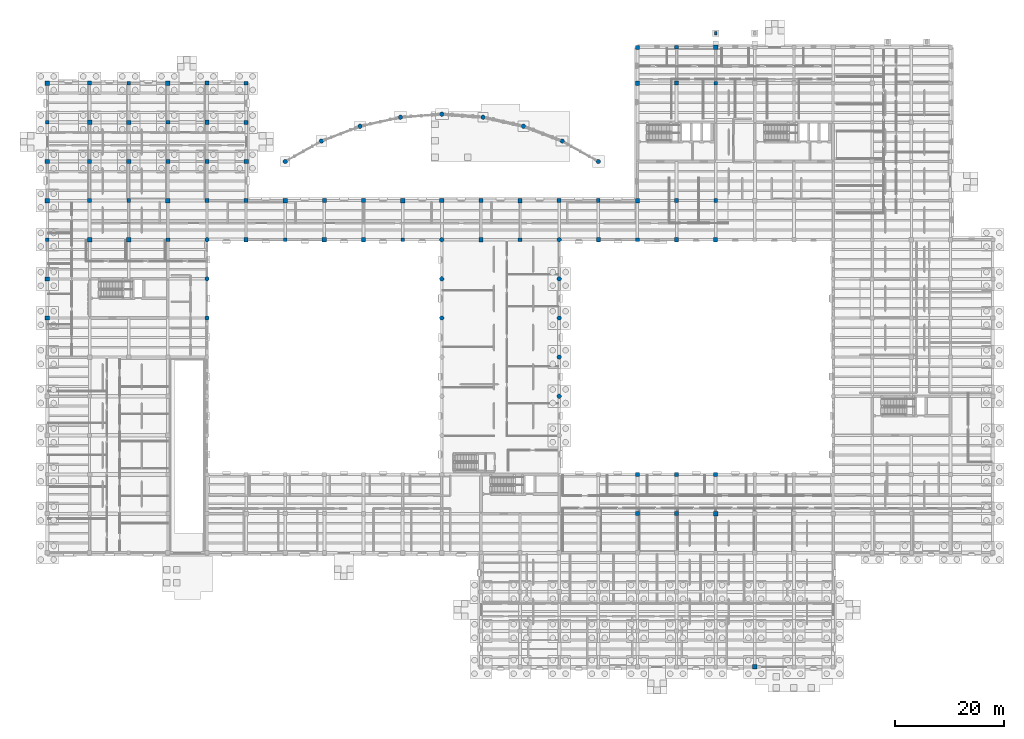
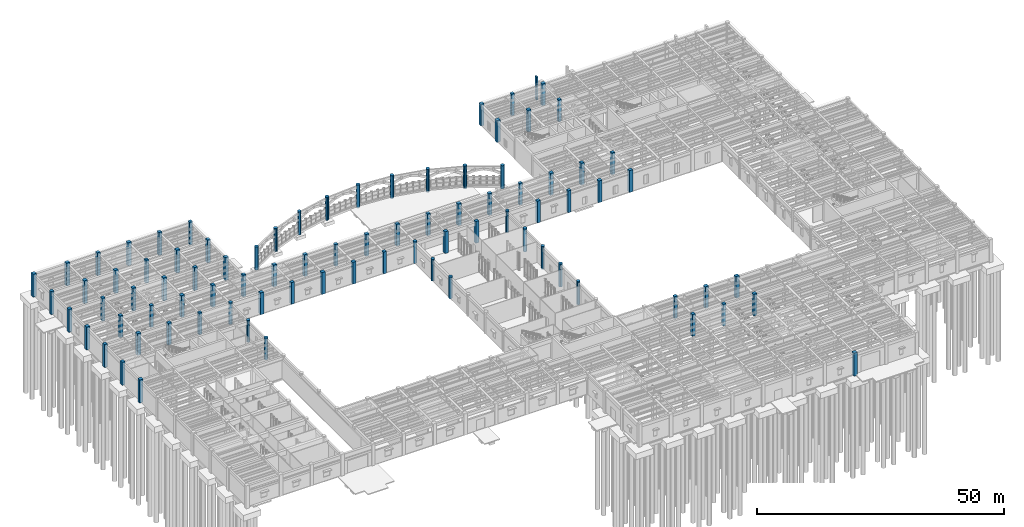
# One storey, part 6 of 100: 87 columns.
"""IFC4 building model written with IfcOpenShell, lengths in metres."""

from ifc_helpers import new_model, si_unit, direction, frame, origin, origin_2d, place, context, subcontext, project, spatial, rectangle, circle, extrude, material, material_profile, profile_set, type_object, element, save


model = new_model("IFC4")

# Units and contexts
model_context = context("Model", 3, precision=1e-05, world=origin(), true_north=direction((0.0, 1.0)))
body_context = subcontext(model_context, "Body", "Model", "MODEL_VIEW")
ifc_project = project(units=[si_unit("LENGTHUNIT", "METRE"), si_unit("AREAUNIT", "SQUARE_METRE"), si_unit("VOLUMEUNIT", "CUBIC_METRE"), si_unit("PLANEANGLEUNIT", "RADIAN"), si_unit("MASSUNIT", "GRAM", prefix="KILO")], contexts=[model_context])

# Site, building, storey
site_placement = place(None, origin())
site = spatial("IfcSite", under=ifc_project, at=site_placement, CompositionType="ELEMENT")
building_placement = place(site_placement, origin())
building = spatial("IfcBuilding", under=site, at=building_placement, Name="Mithqara Police Headquarters", CompositionType="ELEMENT")
storey_placement = place(building_placement, origin())
storey = spatial("IfcBuildingStorey", under=building, at=storey_placement, Name="L00", CompositionType="ELEMENT", Elevation=0.0)

# Columns
ifc_material = material(Name="Concrete C50/60", Category="concrete")
ifc_material_profile_1 = material_profile(ifc_material, rectangle(XDim=0.699951171875, YDim=0.699951171875, at=origin_2d()), Name="RC 700x700")
ifc_profile_set_1 = profile_set([ifc_material_profile_1], Name="Concrete C50/60")
column_type_1 = type_object("IfcColumnType", Name="COLUMN RC700", PredefinedType="COLUMN", material=ifc_profile_set_1)
for number, where, z_axis, x_axis, name in (
    (1, (0.0, 78.60009765625, -0.320068359375), (0.0, 0.0, 1.0), (1.0, 0.0, 0.0), "L00 Column 1/M"),
    (2, (0.0, 100.199951171875, -0.320068359375), (0.0, 0.0, 1.0), (1.0, 0.0, 0.0), "L00 Column 1/Q"),
    (3, (7.800048828125, 93.0, -0.320068359375), (0.0, 0.0, 1.0), (1.0, 0.0, 0.0), "L00 Column 2/P"),
):
    element("IfcColumn", number, at=place(storey_placement, frame(where, z_axis=z_axis, x_axis=x_axis)), inside=storey, type_object=column_type_1, Name=name, PredefinedType="COLUMN", context=body_context, shape_type="SweptSolid", body=[
        extrude(rectangle(XDim=0.699951171875, YDim=0.699951171875, at=origin_2d()), origin(), (0.0, 0.0, 1.0), 5.719970703125),
    ])
column_1_placement = place(storey_placement, frame((15.0, 85.800048828125, 0.0), z_axis=(0.0, 0.0, 1.0), x_axis=(1.0, 0.0, 0.0)))
element("IfcColumn", 4, at=column_1_placement, inside=storey, type_object=column_type_1, Name="L00 Column 3/N", PredefinedType="COLUMN", context=body_context, shape_type="SweptSolid", body=[
    extrude(rectangle(XDim=0.699951171875, YDim=0.699951171875, at=origin_2d()), origin(), (0.0, 0.0, 1.0), 5.39990234375),
])
column_2_placement = place(storey_placement, frame((15.0, 107.39990234375, -0.320068359375), z_axis=(0.0, 0.0, 1.0), x_axis=(1.0, 0.0, 0.0)))
element("IfcColumn", 5, at=column_2_placement, inside=storey, type_object=column_type_1, Name="L00 Column 3/R", PredefinedType="COLUMN", context=body_context, shape_type="SweptSolid", body=[
    extrude(rectangle(XDim=0.699951171875, YDim=0.699951171875, at=origin_2d()), origin(), (0.0, 0.0, 1.0), 5.719970703125),
])
column_3_placement = place(storey_placement, frame((22.199951171875, 78.60009765625, 0.0), z_axis=(0.0, 0.0, 1.0), x_axis=(1.0, 0.0, 0.0)))
element("IfcColumn", 6, at=column_3_placement, inside=storey, type_object=column_type_1, Name="L00 Column 4/M", PredefinedType="COLUMN", context=body_context, shape_type="SweptSolid", body=[
    extrude(rectangle(XDim=0.699951171875, YDim=0.699951171875, at=origin_2d()), origin(), (0.0, 0.0, 1.0), 5.39990234375),
])
for number, where, z_axis, x_axis, name in (
    (7, (22.199951171875, 100.199951171875, -0.320068359375), (0.0, 0.0, 1.0), (1.0, 0.0, 0.0), "L00 Column 4/Q"),
    (8, (29.39990234375, 93.0, -0.320068359375), (0.0, 0.0, 1.0), (1.0, 0.0, 0.0), "L00 Column 5/P"),
):
    element("IfcColumn", number, at=place(storey_placement, frame(where, z_axis=z_axis, x_axis=x_axis)), inside=storey, type_object=column_type_1, Name=name, PredefinedType="COLUMN", context=body_context, shape_type="SweptSolid", body=[
        extrude(rectangle(XDim=0.699951171875, YDim=0.699951171875, at=origin_2d()), origin(), (0.0, 0.0, 1.0), 5.719970703125),
    ])
column_4_placement = place(storey_placement, frame((36.60009765625, 85.800048828125, 0.0), z_axis=(0.0, 0.0, 1.0), x_axis=(1.0, 0.0, 0.0)))
element("IfcColumn", 9, at=column_4_placement, inside=storey, type_object=column_type_1, Name="L00 Column 6/N", PredefinedType="COLUMN", context=body_context, shape_type="SweptSolid", body=[
    extrude(rectangle(XDim=0.699951171875, YDim=0.699951171875, at=origin_2d()), origin(), (0.0, 0.0, 1.0), 5.39990234375),
])
column_5_placement = place(storey_placement, frame((36.60009765625, 107.39990234375, -0.320068359375), z_axis=(0.0, 0.0, 1.0), x_axis=(1.0, 0.0, 0.0)))
element("IfcColumn", 10, at=column_5_placement, inside=storey, type_object=column_type_1, Name="L00 Column 6/R", PredefinedType="COLUMN", context=body_context, shape_type="SweptSolid", body=[
    extrude(rectangle(XDim=0.699951171875, YDim=0.699951171875, at=origin_2d()), origin(), (0.0, 0.0, 1.0), 5.719970703125),
])
for number, where, z_axis, x_axis, name in (
    (11, (43.800048828125, 78.60009765625, 0.0), (0.0, 0.0, 1.0), (1.0, 0.0, 0.0), "L00 Column 7/M"),
    (12, (58.199951171875, 85.800048828125, 0.0), (0.0, 0.0, 1.0), (1.0, 0.0, 0.0), "L00 Column 9/N"),
    (13, (65.39990234375, 78.60009765625, 0.0), (0.0, 0.0, 1.0), (1.0, 0.0, 0.0), "L00 Column 10/M"),
    (14, (79.800048828125, 85.800048828125, 0.0), (0.0, 0.0, 1.0), (1.0, 0.0, 0.0), "L00 Column 12/N"),
    (15, (87.0, 78.60009765625, 0.0), (0.0, 0.0, 1.0), (1.0, 0.0, 0.0), "L00 Column 13/M"),
    (16, (101.39990234375, 85.800048828125, 0.0), (0.0, 0.0, 1.0), (1.0, 0.0, 0.0), "L00 Column 15/N"),
    (17, (108.60009765625, 35.39990234375, 0.0), (0.0, 0.0, 1.0), (1.0, 0.0, 0.0), "L00 Column 16/F"),
    (18, (108.60009765625, 78.60009765625, 0.0), (0.0, 0.0, 1.0), (1.0, 0.0, 0.0), "L00 Column 16/M"),
    (19, (115.800048828125, 28.199951171875, 0.0), (0.0, 0.0, 1.0), (1.0, 0.0, 0.0), "L00 Column 17/E"),
    (20, (115.800048828125, 114.0, 0.0), (0.0, 0.0, 1.0), (1.0, 0.0, 0.0), "L00 Column 17/S"),
    (21, (123.0, 85.800048828125, 0.0), (0.0, 0.0, 1.0), (1.0, 0.0, 0.0), "L00 Column 18/N"),
    (22, (123.0, 107.39990234375, 0.0), (0.0, 0.0, 1.0), (1.0, 0.0, 0.0), "L00 Column 18/R"),
):
    element("IfcColumn", number, at=place(storey_placement, frame(where, z_axis=z_axis, x_axis=x_axis)), inside=storey, type_object=column_type_1, Name=name, PredefinedType="COLUMN", context=body_context, shape_type="SweptSolid", body=[
        extrude(rectangle(XDim=0.699951171875, YDim=0.699951171875, at=origin_2d()), origin(), (0.0, 0.0, 1.0), 5.39990234375),
    ])
ifc_material_profile_2 = material_profile(ifc_material, rectangle(XDim=0.75, YDim=0.75, at=origin_2d()), Name="RC 750x750")
ifc_profile_set_2 = profile_set([ifc_material_profile_2], Name="Concrete C50/60")
column_type_2 = type_object("IfcColumnType", Name="COLUMN RC750", PredefinedType="COLUMN", material=ifc_profile_set_2)
for number, where, z_axis, x_axis, name in (
    (23, (0.0, 71.39990234375, -0.320068359375), (0.0, 0.0, 1.0), (1.0, 0.0, 0.0), "L00 Column 1/L"),
    (24, (0.0, 93.0, -0.320068359375), (0.0, 0.0, 1.0), (1.0, 0.0, 0.0), "L00 Column 1/P"),
):
    element("IfcColumn", number, at=place(storey_placement, frame(where, z_axis=z_axis, x_axis=x_axis)), inside=storey, type_object=column_type_2, Name=name, PredefinedType="COLUMN", context=body_context, shape_type="SweptSolid", body=[
        extrude(rectangle(XDim=0.75, YDim=0.75, at=origin_2d()), origin(), (0.0, 0.0, 1.0), 5.719970703125),
    ])
column_6_placement = place(storey_placement, frame((7.800048828125, 85.800048828125, 0.0), z_axis=(0.0, 0.0, 1.0), x_axis=(1.0, 0.0, 0.0)))
element("IfcColumn", 25, at=column_6_placement, inside=storey, type_object=column_type_2, Name="L00 Column 2/N", PredefinedType="COLUMN", context=body_context, shape_type="SweptSolid", body=[
    extrude(rectangle(XDim=0.75, YDim=0.75, at=origin_2d()), origin(), (0.0, 0.0, 1.0), 5.39990234375),
])
column_7_placement = place(storey_placement, frame((7.800048828125, 107.39990234375, -0.320068359375), z_axis=(0.0, 0.0, 1.0), x_axis=(1.0, 0.0, 0.0)))
element("IfcColumn", 26, at=column_7_placement, inside=storey, type_object=column_type_2, Name="L00 Column 2/R", PredefinedType="COLUMN", context=body_context, shape_type="SweptSolid", body=[
    extrude(rectangle(XDim=0.75, YDim=0.75, at=origin_2d()), origin(), (0.0, 0.0, 1.0), 5.719970703125),
])
column_8_placement = place(storey_placement, frame((15.0, 78.60009765625, 0.0), z_axis=(0.0, 0.0, 1.0), x_axis=(1.0, 0.0, 0.0)))
element("IfcColumn", 27, at=column_8_placement, inside=storey, type_object=column_type_2, Name="L00 Column 3/M", PredefinedType="COLUMN", context=body_context, shape_type="SweptSolid", body=[
    extrude(rectangle(XDim=0.75, YDim=0.75, at=origin_2d()), origin(), (0.0, 0.0, 1.0), 5.39990234375),
])
for number, where, z_axis, x_axis, name in (
    (28, (15.0, 100.199951171875, -0.320068359375), (0.0, 0.0, 1.0), (1.0, 0.0, 0.0), "L00 Column 3/Q"),
    (29, (22.199951171875, 93.0, -0.320068359375), (0.0, 0.0, 1.0), (1.0, 0.0, 0.0), "L00 Column 4/P"),
):
    element("IfcColumn", number, at=place(storey_placement, frame(where, z_axis=z_axis, x_axis=x_axis)), inside=storey, type_object=column_type_2, Name=name, PredefinedType="COLUMN", context=body_context, shape_type="SweptSolid", body=[
        extrude(rectangle(XDim=0.75, YDim=0.75, at=origin_2d()), origin(), (0.0, 0.0, 1.0), 5.719970703125),
    ])
column_9_placement = place(storey_placement, frame((29.39990234375, 85.800048828125, 0.0), z_axis=(0.0, 0.0, 1.0), x_axis=(1.0, 0.0, 0.0)))
element("IfcColumn", 30, at=column_9_placement, inside=storey, type_object=column_type_2, Name="L00 Column 5/N", PredefinedType="COLUMN", context=body_context, shape_type="SweptSolid", body=[
    extrude(rectangle(XDim=0.75, YDim=0.75, at=origin_2d()), origin(), (0.0, 0.0, 1.0), 5.39990234375),
])
column_10_placement = place(storey_placement, frame((29.39990234375, 107.39990234375, -0.320068359375), z_axis=(0.0, 0.0, 1.0), x_axis=(1.0, 0.0, 0.0)))
element("IfcColumn", 31, at=column_10_placement, inside=storey, type_object=column_type_2, Name="L00 Column 5/R", PredefinedType="COLUMN", context=body_context, shape_type="SweptSolid", body=[
    extrude(rectangle(XDim=0.75, YDim=0.75, at=origin_2d()), origin(), (0.0, 0.0, 1.0), 5.719970703125),
])
column_11_placement = place(storey_placement, frame((36.60009765625, 78.60009765625, 0.0), z_axis=(0.0, 0.0, 1.0), x_axis=(1.0, 0.0, 0.0)))
element("IfcColumn", 32, at=column_11_placement, inside=storey, type_object=column_type_2, Name="L00 Column 6/M", PredefinedType="COLUMN", context=body_context, shape_type="SweptSolid", body=[
    extrude(rectangle(XDim=0.75, YDim=0.75, at=origin_2d()), origin(), (0.0, 0.0, 1.0), 5.39990234375),
])
column_12_placement = place(storey_placement, frame((36.60009765625, 100.199951171875, -0.320068359375), z_axis=(0.0, 0.0, 1.0), x_axis=(1.0, 0.0, 0.0)))
element("IfcColumn", 33, at=column_12_placement, inside=storey, type_object=column_type_2, Name="L00 Column 6/Q", PredefinedType="COLUMN", context=body_context, shape_type="SweptSolid", body=[
    extrude(rectangle(XDim=0.75, YDim=0.75, at=origin_2d()), origin(), (0.0, 0.0, 1.0), 5.719970703125),
])
for number, where, z_axis, x_axis, name in (
    (34, (51.0, 85.800048828125, 0.0), (0.0, 0.0, 1.0), (1.0, 0.0, 0.0), "L00 Column 8/N"),
    (35, (58.199951171875, 78.60009765625, 0.0), (0.0, 0.0, 1.0), (1.0, 0.0, 0.0), "L00 Column 9/M"),
    (36, (72.60009765625, 85.800048828125, 0.0), (0.0, 0.0, 1.0), (1.0, 0.0, 0.0), "L00 Column 11/N"),
    (37, (79.800048828125, 78.60009765625, 0.0), (0.0, 0.0, 1.0), (1.0, 0.0, 0.0), "L00 Column 12/M"),
    (38, (94.199951171875, 85.800048828125, 0.0), (0.0, 0.0, 1.0), (1.0, 0.0, 0.0), "L00 Column 14/N"),
    (39, (101.39990234375, 78.60009765625, 0.0), (0.0, 0.0, 1.0), (1.0, 0.0, 0.0), "L00 Column 15/M"),
    (40, (108.60009765625, 28.199951171875, 0.0), (0.0, 0.0, 1.0), (1.0, 0.0, 0.0), "L00 Column 16/E"),
    (41, (108.60009765625, 114.0, 0.0), (0.0, 0.0, 1.0), (1.0, 0.0, 0.0), "L00 Column 16/S"),
    (42, (115.800048828125, 85.800048828125, 0.0), (0.0, 0.0, 1.0), (1.0, 0.0, 0.0), "L00 Column 17/N"),
    (43, (115.800048828125, 107.39990234375, 0.0), (0.0, 0.0, 1.0), (1.0, 0.0, 0.0), "L00 Column 17/R"),
    (44, (123.0, 35.39990234375, 0.0), (0.0, 0.0, 1.0), (1.0, 0.0, 0.0), "L00 Column 18/F"),
    (45, (123.0, 78.60009765625, 0.0), (0.0, 0.0, 1.0), (1.0, 0.0, 0.0), "L00 Column 18/M"),
):
    element("IfcColumn", number, at=place(storey_placement, frame(where, z_axis=z_axis, x_axis=x_axis)), inside=storey, type_object=column_type_2, Name=name, PredefinedType="COLUMN", context=body_context, shape_type="SweptSolid", body=[
        extrude(rectangle(XDim=0.75, YDim=0.75, at=origin_2d()), origin(), (0.0, 0.0, 1.0), 5.39990234375),
    ])
ifc_material_profile_3 = material_profile(ifc_material, rectangle(XDim=0.800048828125, YDim=0.800048828125, at=origin_2d()), Name="RC 800x800")
ifc_profile_set_3 = profile_set([ifc_material_profile_3], Name="Concrete C50/60")
column_type_3 = type_object("IfcColumnType", Name="COLUMN RC800", PredefinedType="COLUMN", material=ifc_profile_set_3)
for number, where, z_axis, x_axis, name in (
    (46, (0.0, 64.199951171875, -0.320068359375), (0.0, 0.0, 1.0), (1.0, 0.0, 0.0), "L00 Column 1/K"),
    (47, (0.0, 85.800048828125, -0.320068359375), (0.0, 0.0, 1.0), (1.0, 0.0, 0.0), "L00 Column 1/N"),
    (48, (0.0, 107.39990234375, -0.320068359375), (0.0, 0.0, 1.0), (1.0, 0.0, 0.0), "L00 Column 1/R"),
):
    element("IfcColumn", number, at=place(storey_placement, frame(where, z_axis=z_axis, x_axis=x_axis)), inside=storey, type_object=column_type_3, Name=name, PredefinedType="COLUMN", context=body_context, shape_type="SweptSolid", body=[
        extrude(rectangle(XDim=0.800048828125, YDim=0.800048828125, at=origin_2d()), origin(), (0.0, 0.0, 1.0), 5.719970703125),
    ])
column_13_placement = place(storey_placement, frame((7.800048828125, 78.60009765625, 0.0), z_axis=(0.0, 0.0, 1.0), x_axis=(1.0, 0.0, 0.0)))
element("IfcColumn", 49, at=column_13_placement, inside=storey, type_object=column_type_3, Name="L00 Column 2/M", PredefinedType="COLUMN", context=body_context, shape_type="SweptSolid", body=[
    extrude(rectangle(XDim=0.800048828125, YDim=0.800048828125, at=origin_2d()), origin(), (0.0, 0.0, 1.0), 5.39990234375),
])
for number, where, z_axis, x_axis, name in (
    (50, (7.800048828125, 100.199951171875, -0.320068359375), (0.0, 0.0, 1.0), (1.0, 0.0, 0.0), "L00 Column 2/Q"),
    (51, (15.0, 93.0, -0.320068359375), (0.0, 0.0, 1.0), (1.0, 0.0, 0.0), "L00 Column 3/P"),
):
    element("IfcColumn", number, at=place(storey_placement, frame(where, z_axis=z_axis, x_axis=x_axis)), inside=storey, type_object=column_type_3, Name=name, PredefinedType="COLUMN", context=body_context, shape_type="SweptSolid", body=[
        extrude(rectangle(XDim=0.800048828125, YDim=0.800048828125, at=origin_2d()), origin(), (0.0, 0.0, 1.0), 5.719970703125),
    ])
column_14_placement = place(storey_placement, frame((22.199951171875, 85.800048828125, 0.0), z_axis=(0.0, 0.0, 1.0), x_axis=(1.0, 0.0, 0.0)))
element("IfcColumn", 52, at=column_14_placement, inside=storey, type_object=column_type_3, Name="L00 Column 4/N", PredefinedType="COLUMN", context=body_context, shape_type="SweptSolid", body=[
    extrude(rectangle(XDim=0.800048828125, YDim=0.800048828125, at=origin_2d()), origin(), (0.0, 0.0, 1.0), 5.39990234375),
])
for number, where, z_axis, x_axis, name in (
    (53, (22.199951171875, 107.39990234375, -0.320068359375), (0.0, 0.0, 1.0), (1.0, 0.0, 0.0), "L00 Column 4/R"),
    (54, (29.39990234375, 100.199951171875, -0.320068359375), (0.0, 0.0, 1.0), (1.0, 0.0, 0.0), "L00 Column 5/Q"),
    (55, (36.60009765625, 93.0, -0.320068359375), (0.0, 0.0, 1.0), (1.0, 0.0, 0.0), "L00 Column 6/P"),
):
    element("IfcColumn", number, at=place(storey_placement, frame(where, z_axis=z_axis, x_axis=x_axis)), inside=storey, type_object=column_type_3, Name=name, PredefinedType="COLUMN", context=body_context, shape_type="SweptSolid", body=[
        extrude(rectangle(XDim=0.800048828125, YDim=0.800048828125, at=origin_2d()), origin(), (0.0, 0.0, 1.0), 5.719970703125),
    ])
for number, where, z_axis, x_axis, name in (
    (56, (43.800048828125, 85.800048828125, 0.0), (0.0, 0.0, 1.0), (1.0, 0.0, 0.0), "L00 Column 7/N"),
    (57, (51.0, 78.60009765625, 0.0), (0.0, 0.0, 1.0), (1.0, 0.0, 0.0), "L00 Column 8/M"),
    (58, (65.39990234375, 85.800048828125, 0.0), (0.0, 0.0, 1.0), (1.0, 0.0, 0.0), "L00 Column 10/N"),
    (59, (87.0, 85.800048828125, 0.0), (0.0, 0.0, 1.0), (1.0, 0.0, 0.0), "L00 Column 13/N"),
    (60, (108.60009765625, 85.800048828125, 0.0), (0.0, 0.0, 1.0), (1.0, 0.0, 0.0), "L00 Column 16/N"),
    (61, (108.60009765625, 107.39990234375, 0.0), (0.0, 0.0, 1.0), (1.0, 0.0, 0.0), "L00 Column 16/R"),
    (62, (115.800048828125, 35.39990234375, 0.0), (0.0, 0.0, 1.0), (1.0, 0.0, 0.0), "L00 Column 17/F"),
    (63, (115.800048828125, 78.60009765625, 0.0), (0.0, 0.0, 1.0), (1.0, 0.0, 0.0), "L00 Column 17/M"),
    (64, (123.0, 28.199951171875, 0.0), (0.0, 0.0, 1.0), (1.0, 0.0, 0.0), "L00 Column 18/E"),
    (65, (123.0, 114.0, 0.0), (0.0, 0.0, 1.0), (1.0, 0.0, 0.0), "L00 Column 18/S"),
):
    element("IfcColumn", number, at=place(storey_placement, frame(where, z_axis=z_axis, x_axis=x_axis)), inside=storey, type_object=column_type_3, Name=name, PredefinedType="COLUMN", context=body_context, shape_type="SweptSolid", body=[
        extrude(rectangle(XDim=0.800048828125, YDim=0.800048828125, at=origin_2d()), origin(), (0.0, 0.0, 1.0), 5.39990234375),
    ])
column_15_placement = place(storey_placement, frame((130.199951171875, 0.0, -0.320068359375), z_axis=(0.0, 0.0, 1.0), x_axis=(1.0, 0.0, 0.0)))
element("IfcColumn", 66, at=column_15_placement, inside=storey, type_object=column_type_3, Name="L00 Column 19/A", PredefinedType="COLUMN", context=body_context, shape_type="SweptSolid", body=[
    extrude(rectangle(XDim=0.800048828125, YDim=0.800048828125, at=origin_2d()), origin(), (0.0, 0.0, 1.0), 5.719970703125),
])
ifc_material_profile_4 = material_profile(ifc_material, circle(Radius=0.39990234375, at=origin_2d()), Name="RCD 800")
ifc_profile_set_4 = profile_set([ifc_material_profile_4], Name="Concrete C50/60")
column_type_4 = type_object("IfcColumnType", Name="COLUMN RCD800", PredefinedType="COLUMN", material=ifc_profile_set_4)
for number, where, z_axis, x_axis, name in (
    (67, (29.39990234375, 64.199951171875, 0.0), (0.0, 0.0, 1.0), (1.0, 0.0, 0.0), "L00 Column 5/K"),
    (68, (29.39990234375, 71.39990234375, 0.0), (0.0, 0.0, 1.0), (1.0, 0.0, 0.0), "L00 Column 5/L"),
    (69, (29.39990234375, 78.60009765625, 0.0), (0.0, 0.0, 1.0), (1.0, 0.0, 0.0), "L00 Column 5/M"),
    (70, (72.60009765625, 64.199951171875, 0.0), (0.0, 0.0, 1.0), (1.0, 0.0, 0.0), "L00 Column 11/K"),
    (71, (72.60009765625, 71.39990234375, 0.0), (0.0, 0.0, 1.0), (1.0, 0.0, 0.0), "L00 Column 11/L"),
    (72, (72.60009765625, 78.60009765625, 0.0), (0.0, 0.0, 1.0), (1.0, 0.0, 0.0), "L00 Column 11/M"),
):
    element("IfcColumn", number, at=place(storey_placement, frame(where, z_axis=z_axis, x_axis=x_axis)), inside=storey, type_object=column_type_4, Name=name, PredefinedType="COLUMN", context=body_context, shape_type="SweptSolid", body=[
        extrude(circle(Radius=0.39990234375, at=origin_2d()), origin(), (0.0, 0.0, 1.0), 5.39990234375),
    ])
for number, where, z_axis, x_axis, name in (
    (73, (94.199951171875, 49.800048828125, -0.320068359375), (0.0, 0.0, 1.0), (1.0, 0.0, 0.0), "L00 Column 14/H"),
    (74, (94.199951171875, 57.0, -0.320068359375), (0.0, 0.0, 1.0), (1.0, 0.0, 0.0), "L00 Column 14/J"),
    (75, (94.199951171875, 64.199951171875, -0.320068359375), (0.0, 0.0, 1.0), (1.0, 0.0, 0.0), "L00 Column 14/K"),
    (76, (94.199951171875, 71.39990234375, -0.320068359375), (0.0, 0.0, 1.0), (1.0, 0.0, 0.0), "L00 Column 14/L"),
):
    element("IfcColumn", number, at=place(storey_placement, frame(where, z_axis=z_axis, x_axis=x_axis)), inside=storey, type_object=column_type_4, Name=name, PredefinedType="COLUMN", context=body_context, shape_type="SweptSolid", body=[
        extrude(circle(Radius=0.39990234375, at=origin_2d()), origin(), (0.0, 0.0, 1.0), 5.719970703125),
    ])
column_16_placement = place(storey_placement, frame((94.199951171875, 78.60009765625, 0.0), z_axis=(0.0, 0.0, 1.0), x_axis=(1.0, 0.0, 0.0)))
element("IfcColumn", 77, at=column_16_placement, inside=storey, type_object=column_type_4, Name="L00 Column 14/M", PredefinedType="COLUMN", context=body_context, shape_type="SweptSolid", body=[
    extrude(circle(Radius=0.39990234375, at=origin_2d()), origin(), (0.0, 0.0, 1.0), 5.39990234375),
])
for number, where, z_axis, x_axis, name in (
    (78, (43.800048828125, 93.0, -0.320068359375), (0.0, 0.0, 1.0), (1.0, 0.0, 0.0), "L00 Forecourt Arcade Pier 1"),
    (79, (50.440185546875, 96.74560546875, -0.320068359375), (0.0, 0.0, 1.0), (1.0, 0.0, 0.0), "L00 Forecourt Arcade Pier 2"),
    (80, (57.556884765625, 99.480224609375, -0.320068359375), (0.0, 0.0, 1.0), (1.0, 0.0, 0.0), "L00 Forecourt Arcade Pier 3"),
    (81, (64.99658203125, 101.14501953125, -0.320068359375), (0.0, 0.0, 1.0), (1.0, 0.0, 0.0), "L00 Forecourt Arcade Pier 4"),
    (82, (72.60009765625, 101.703857421875, -0.320068359375), (0.0, 0.0, 1.0), (1.0, 0.0, 0.0), "L00 Forecourt Arcade Pier 5"),
    (83, (80.203369140625, 101.14501953125, -0.320068359375), (0.0, 0.0, 1.0), (1.0, 0.0, 0.0), "L00 Forecourt Arcade Pier 6"),
    (84, (87.643310546875, 99.480224609375, -0.320068359375), (0.0, 0.0, 1.0), (1.0, 0.0, 0.0), "L00 Forecourt Arcade Pier 7"),
    (85, (94.759765625, 96.74560546875, -0.320068359375), (0.0, 0.0, 1.0), (1.0, 0.0, 0.0), "L00 Forecourt Arcade Pier 8"),
    (86, (101.39990234375, 93.0, -0.320068359375), (0.0, 0.0, 1.0), (1.0, 0.0, 0.0), "L00 Forecourt Arcade Pier 9"),
):
    element("IfcColumn", number, at=place(storey_placement, frame(where, z_axis=z_axis, x_axis=x_axis)), inside=storey, type_object=column_type_4, Name=name, PredefinedType="COLUMN", context=body_context, shape_type="SweptSolid", body=[
        extrude(circle(Radius=0.39990234375, at=origin_2d()), origin(), (0.0, 0.0, 1.0), 5.719970703125),
    ])
ifc_material_profile_5 = material_profile(ifc_material, rectangle(XDim=0.39990234375, YDim=0.60009765625, at=origin_2d()), Name="PIL 400x600")
ifc_profile_set_5 = profile_set([ifc_material_profile_5], Name="Concrete C50/60")
column_type_5 = type_object("IfcColumnType", Name="PILASTER 400X600", PredefinedType="PILASTER", material=ifc_profile_set_5)
column_17_placement = place(storey_placement, frame((123.0, 116.60009765625, -0.320068359375), z_axis=(0.0, 0.0, 1.0), x_axis=(1.0, 0.0, 0.0)))
element("IfcColumn", 87, at=column_17_placement, inside=storey, type_object=column_type_5, Name="L00 Entrance Portal Pylon W", PredefinedType="PILASTER", context=body_context, shape_type="SweptSolid", body=[
    extrude(rectangle(XDim=0.39990234375, YDim=0.60009765625, at=origin_2d()), origin(), (0.0, 0.0, 1.0), 5.719970703125),
])

save(model, "model.ifc")
